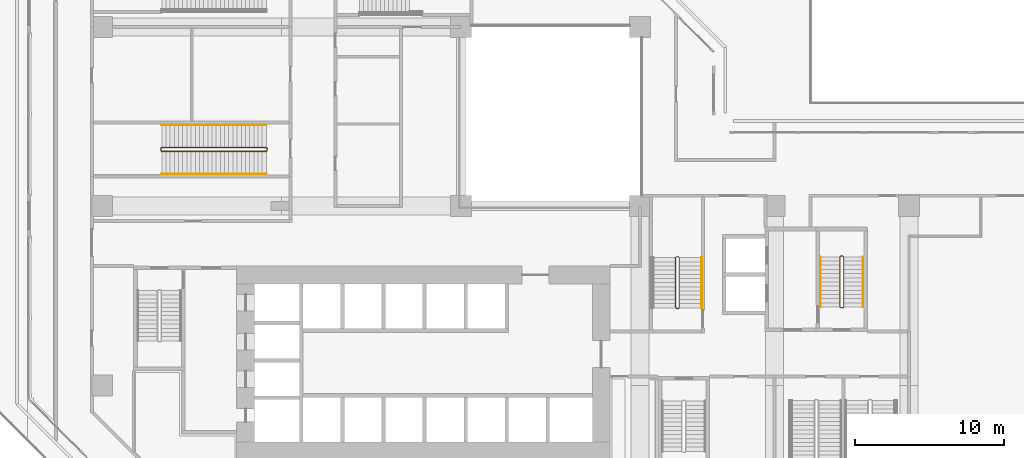
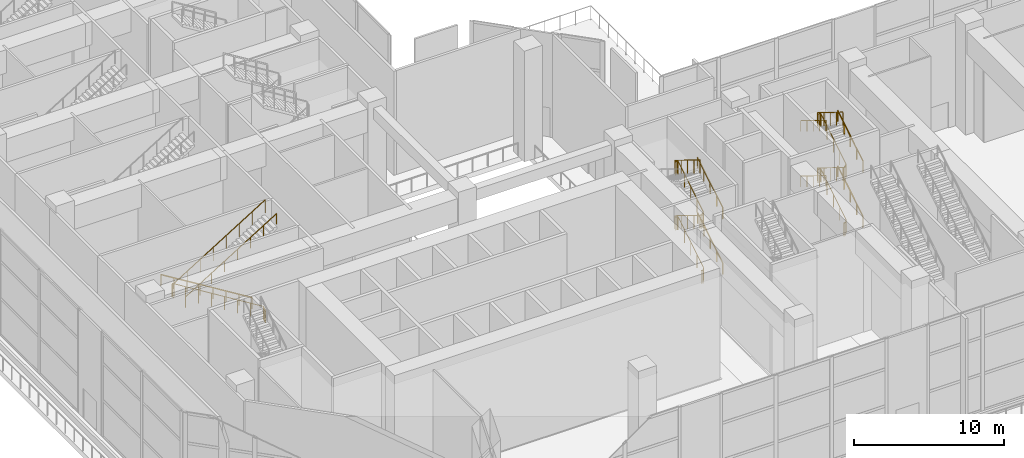
# One storey, part 24 of 28: 11 railings.
"""IFC4 building model written with IfcOpenShell, lengths in metres."""

from ifc_helpers import new_model, si_unit, direction, frame, origin, origin_2d, place, context, subcontext, project, spatial, rectangle, extrude, material, type_object, element, save


model = new_model("IFC4")

# Units and contexts
model_context = context("Model", 3, precision=1e-05, world=origin(), true_north=direction((0.0, 1.0)))
body_context = subcontext(model_context, "Body", "Model", "MODEL_VIEW")
ifc_project = project(units=[si_unit("LENGTHUNIT", "METRE"), si_unit("AREAUNIT", "SQUARE_METRE"), si_unit("VOLUMEUNIT", "CUBIC_METRE"), si_unit("PLANEANGLEUNIT", "RADIAN"), si_unit("MASSUNIT", "GRAM", prefix="KILO")], contexts=[model_context])

# Site, building, storey
site_placement = place(None, origin())
site = spatial("IfcSite", under=ifc_project, at=site_placement, CompositionType="ELEMENT")
building_placement = place(site_placement, origin())
building = spatial("IfcBuilding", under=site, at=building_placement, Name="Chenar Terraces", CompositionType="ELEMENT")
storey_placement = place(building_placement, frame((0.0, 0.0, 26.39990234375)))
storey = spatial("IfcBuildingStorey", under=building, at=storey_placement, Name="L05", CompositionType="ELEMENT", Elevation=26.39990234375)

# Railings
ifc_material_1 = material(Name="Powder-coated steel", Category="steel")
railing_type_1 = type_object("IfcRailingType", Name="Stair guard 1100", PredefinedType="GUARDRAIL", material=ifc_material_1)
railing_1_placement = place(storey_placement, frame((49.375, 17.25, 9.0)))
element("IfcRailing", 1, at=railing_1_placement, inside=storey, type_object=railing_type_1, Name="L05 ST3 stair guard 1", PredefinedType="GUARDRAIL", context=body_context, shape_type="SweptSolid", body=[
    extrude(rectangle(XDim=0.048095703125, YDim=0.048095703125, at=origin_2d()), frame((0.0, 0.0, 1.076171875), z_axis=(0.0, 0.850623216509, -0.525775754039), x_axis=(-1.0, 0.0, 0.0)), (0.0, 0.0, 1.0), 3.9501953125),
    extrude(rectangle(XDim=0.048095703125, YDim=0.048095703125, at=origin_2d()), frame((0.0, 3.360107421875, -1.0009765625), z_axis=(0.267723051232, 0.266417085129, -0.925929967433), x_axis=(-0.705375805398, 0.708833529934, 0.0)), (0.0, 0.0, 1.0), 0.18701171875),
    extrude(rectangle(XDim=0.048095703125, YDim=0.048095703125, at=origin_2d()), frame((0.050048828125, 3.409912109375, -1.173828125), z_axis=(1.0, 0.0, 0.0), x_axis=(0.0, 1.0, 0.0)), (0.0, 0.0, 1.0), 0.14990234375),
    extrude(rectangle(XDim=0.048095703125, YDim=0.048095703125, at=origin_2d()), frame((0.199951171875, 3.409912109375, -1.173828125), z_axis=(0.708833529934, -0.705375805398, 0.0), x_axis=(0.705375805398, 0.708833529934, 0.0)), (0.0, 0.0, 1.0), 0.070556640625),
    extrude(rectangle(XDim=0.048095703125, YDim=0.048095703125, at=origin_2d()), frame((0.25, 3.360107421875, -1.173828125), z_axis=(0.0, -0.850623216509, -0.525775754039), x_axis=(1.0, 0.0, 0.0)), (0.0, 0.0, 1.0), 3.9501953125),
    extrude(rectangle(XDim=0.048095703125, YDim=0.048095703125, at=origin_2d()), frame((0.25, 0.0, -3.2509765625), z_axis=(-0.742869136974, -0.185944045274, -0.643094283413), x_axis=(0.242814311512, -0.970072785993, 0.0)), (0.0, 0.0, 1.0), 0.26904296875),
    extrude(rectangle(XDim=0.048095703125, YDim=0.048095703125, at=origin_2d()), frame((0.050048828125, -0.050048828125, -3.423828125), z_axis=(1.0, 0.0, 0.0), x_axis=(0.0, 1.0, 0.0)), (0.0, 0.0, 1.0), 0.14990234375),
    extrude(rectangle(XDim=0.048095703125, YDim=0.048095703125, at=origin_2d()), frame((0.199951171875, -0.050048828125, -3.423828125), z_axis=(-0.970072785993, 0.242814311512, 0.0), x_axis=(-0.242814311512, -0.970072785993, 0.0)), (0.0, 0.0, 1.0), 0.2060546875),
    extrude(rectangle(XDim=0.048095703125, YDim=0.048095703125, at=origin_2d()), frame((0.0, 0.0, -3.423828125), z_axis=(0.0, 0.850623216509, -0.525775754039), x_axis=(-1.0, 0.0, 0.0)), (0.0, 0.0, 1.0), 3.9501953125),
    extrude(rectangle(XDim=0.048095703125, YDim=0.048095703125, at=origin_2d()), frame((0.0, 3.360107421875, -5.5009765625), z_axis=(0.267723051232, 0.266417085129, -0.925929967433), x_axis=(-0.705375805398, 0.708833529934, 0.0)), (0.0, 0.0, 1.0), 0.18701171875),
    extrude(rectangle(XDim=0.048095703125, YDim=0.048095703125, at=origin_2d()), frame((0.050048828125, 3.409912109375, -5.673828125), z_axis=(1.0, 0.0, 0.0), x_axis=(0.0, 1.0, 0.0)), (0.0, 0.0, 1.0), 0.14990234375),
    extrude(rectangle(XDim=0.048095703125, YDim=0.048095703125, at=origin_2d()), frame((0.199951171875, 3.409912109375, -5.673828125), z_axis=(0.708833529934, -0.705375805398, 0.0), x_axis=(0.705375805398, 0.708833529934, 0.0)), (0.0, 0.0, 1.0), 0.070556640625),
    extrude(rectangle(XDim=0.048095703125, YDim=0.048095703125, at=origin_2d()), frame((0.25, 3.360107421875, -5.673828125), z_axis=(0.0, -0.850623216509, -0.525775754039), x_axis=(1.0, 0.0, 0.0)), (0.0, 0.0, 1.0), 3.9501953125),
    extrude(rectangle(XDim=0.048095703125, YDim=0.048095703125, at=origin_2d()), frame((0.25, 0.0, -7.7509765625), z_axis=(-0.267629722418, -0.267629722418, -0.925607186314), x_axis=(0.707106781187, -0.707106781187, 0.0)), (0.0, 0.0, 1.0), 0.18701171875),
    extrude(rectangle(XDim=0.048095703125, YDim=0.048095703125, at=origin_2d()), frame((0.199951171875, -0.050048828125, -7.923828125), z_axis=(-1.0, 0.0, 0.0), x_axis=(0.0, -1.0, 0.0)), (0.0, 0.0, 1.0), 0.14990234375),
    extrude(rectangle(XDim=0.0419921875, YDim=0.0419921875, at=origin_2d()), origin(), (0.0, 0.0, 1.0), 1.052001953125),
    extrude(rectangle(XDim=0.0419921875, YDim=0.0419921875, at=origin_2d()), frame((0.0, 0.840087890625, -0.519287109375)), (0.0, 0.0, 1.0), 1.052001953125),
    extrude(rectangle(XDim=0.0419921875, YDim=0.0419921875, at=origin_2d()), frame((0.0, 1.68017578125, -1.03857421875)), (0.0, 0.0, 1.0), 1.052001953125),
    extrude(rectangle(XDim=0.0419921875, YDim=0.0419921875, at=origin_2d()), frame((0.0, 2.52001953125, -1.5576171875)), (0.0, 0.0, 1.0), 1.052001953125),
    extrude(rectangle(XDim=0.0419921875, YDim=0.0419921875, at=origin_2d()), frame((0.0, 3.360107421875, -2.076904296875)), (0.0, 0.0, 1.0), 1.052001953125),
    extrude(rectangle(XDim=0.0419921875, YDim=0.0419921875, at=origin_2d()), frame((0.050048828125, 3.409912109375, -2.25)), (0.0, 0.0, 1.0), 1.052001953125),
    extrude(rectangle(XDim=0.0419921875, YDim=0.0419921875, at=origin_2d()), frame((0.199951171875, 3.409912109375, -2.25)), (0.0, 0.0, 1.0), 1.052001953125),
    extrude(rectangle(XDim=0.0419921875, YDim=0.0419921875, at=origin_2d()), frame((0.25, 3.360107421875, -2.25)), (0.0, 0.0, 1.0), 1.052001953125),
    extrude(rectangle(XDim=0.0419921875, YDim=0.0419921875, at=origin_2d()), frame((0.25, 2.52001953125, -2.769287109375)), (0.0, 0.0, 1.0), 1.052001953125),
    extrude(rectangle(XDim=0.0419921875, YDim=0.0419921875, at=origin_2d()), frame((0.25, 1.68017578125, -3.28857421875)), (0.0, 0.0, 1.0), 1.052001953125),
    extrude(rectangle(XDim=0.0419921875, YDim=0.0419921875, at=origin_2d()), frame((0.25, 0.840087890625, -3.8076171875)), (0.0, 0.0, 1.0), 1.052001953125),
    extrude(rectangle(XDim=0.0419921875, YDim=0.0419921875, at=origin_2d()), frame((0.25, 0.0, -4.326904296875)), (0.0, 0.0, 1.0), 1.052001953125),
    extrude(rectangle(XDim=0.0419921875, YDim=0.0419921875, at=origin_2d()), frame((0.050048828125, -0.050048828125, -4.5)), (0.0, 0.0, 1.0), 1.052001953125),
    extrude(rectangle(XDim=0.0419921875, YDim=0.0419921875, at=origin_2d()), frame((0.199951171875, -0.050048828125, -4.5)), (0.0, 0.0, 1.0), 1.052001953125),
    extrude(rectangle(XDim=0.0419921875, YDim=0.0419921875, at=origin_2d()), frame((0.0, 0.0, -4.5)), (0.0, 0.0, 1.0), 1.052001953125),
    extrude(rectangle(XDim=0.0419921875, YDim=0.0419921875, at=origin_2d()), frame((0.0, 0.840087890625, -5.019287109375)), (0.0, 0.0, 1.0), 1.052001953125),
    extrude(rectangle(XDim=0.0419921875, YDim=0.0419921875, at=origin_2d()), frame((0.0, 1.68017578125, -5.53857421875)), (0.0, 0.0, 1.0), 1.052001953125),
    extrude(rectangle(XDim=0.0419921875, YDim=0.0419921875, at=origin_2d()), frame((0.0, 2.52001953125, -6.0576171875)), (0.0, 0.0, 1.0), 1.052001953125),
    extrude(rectangle(XDim=0.0419921875, YDim=0.0419921875, at=origin_2d()), frame((0.0, 3.360107421875, -6.576904296875)), (0.0, 0.0, 1.0), 1.052001953125),
    extrude(rectangle(XDim=0.0419921875, YDim=0.0419921875, at=origin_2d()), frame((0.050048828125, 3.409912109375, -6.75)), (0.0, 0.0, 1.0), 1.052001953125),
    extrude(rectangle(XDim=0.0419921875, YDim=0.0419921875, at=origin_2d()), frame((0.199951171875, 3.409912109375, -6.75)), (0.0, 0.0, 1.0), 1.052001953125),
    extrude(rectangle(XDim=0.0419921875, YDim=0.0419921875, at=origin_2d()), frame((0.25, 3.360107421875, -6.75)), (0.0, 0.0, 1.0), 1.052001953125),
    extrude(rectangle(XDim=0.0419921875, YDim=0.0419921875, at=origin_2d()), frame((0.25, 2.52001953125, -7.269287109375)), (0.0, 0.0, 1.0), 1.052001953125),
    extrude(rectangle(XDim=0.0419921875, YDim=0.0419921875, at=origin_2d()), frame((0.25, 1.68017578125, -7.78857421875)), (0.0, 0.0, 1.0), 1.052001953125),
    extrude(rectangle(XDim=0.0419921875, YDim=0.0419921875, at=origin_2d()), frame((0.25, 0.840087890625, -8.3076171875)), (0.0, 0.0, 1.0), 1.052001953125),
    extrude(rectangle(XDim=0.0419921875, YDim=0.0419921875, at=origin_2d()), frame((0.25, 0.0, -8.826904296875)), (0.0, 0.0, 1.0), 1.052001953125),
    extrude(rectangle(XDim=0.0419921875, YDim=0.0419921875, at=origin_2d()), frame((0.199951171875, -0.050048828125, -9.0)), (0.0, 0.0, 1.0), 1.052001953125),
    extrude(rectangle(XDim=0.0419921875, YDim=0.0419921875, at=origin_2d()), frame((0.050048828125, -0.050048828125, -9.0)), (0.0, 0.0, 1.0), 1.052001953125),
])
railing_2_placement = place(storey_placement, frame((38.375, 17.199951171875, 9.0)))
element("IfcRailing", 2, at=railing_2_placement, inside=storey, type_object=railing_type_1, Name="L05 PS1 stair guard 1", PredefinedType="GUARDRAIL", context=body_context, shape_type="SweptSolid", body=[
    extrude(rectangle(XDim=0.048095703125, YDim=0.048095703125, at=origin_2d()), frame((0.0, 0.0, 1.076171875), z_axis=(0.0, 0.850623216509, -0.525775754039), x_axis=(-1.0, 0.0, 0.0)), (0.0, 0.0, 1.0), 3.9501953125),
    extrude(rectangle(XDim=0.048095703125, YDim=0.048095703125, at=origin_2d()), frame((0.0, 3.360107421875, -1.0009765625), z_axis=(0.267629722418, 0.267629722418, -0.925607186314), x_axis=(-0.707106781187, 0.707106781187, 0.0)), (0.0, 0.0, 1.0), 0.18701171875),
    extrude(rectangle(XDim=0.048095703125, YDim=0.048095703125, at=origin_2d()), frame((0.050048828125, 3.41015625, -1.173828125), z_axis=(1.0, 0.0, 0.0), x_axis=(0.0, 1.0, 0.0)), (0.0, 0.0, 1.0), 0.14990234375),
    extrude(rectangle(XDim=0.048095703125, YDim=0.048095703125, at=origin_2d()), frame((0.199951171875, 3.41015625, -1.173828125), z_axis=(0.707106781187, -0.707106781187, 0.0), x_axis=(0.707106781187, 0.707106781187, 0.0)), (0.0, 0.0, 1.0), 0.07080078125),
    extrude(rectangle(XDim=0.048095703125, YDim=0.048095703125, at=origin_2d()), frame((0.25, 3.360107421875, -1.173828125), z_axis=(0.0, -0.850623216509, -0.525775754039), x_axis=(1.0, 0.0, 0.0)), (0.0, 0.0, 1.0), 3.9501953125),
    extrude(rectangle(XDim=0.048095703125, YDim=0.048095703125, at=origin_2d()), frame((0.25, 0.0, -3.2509765625), z_axis=(-0.742869136974, -0.185944045274, -0.643094283413), x_axis=(0.242814311512, -0.970072785993, 0.0)), (0.0, 0.0, 1.0), 0.26904296875),
    extrude(rectangle(XDim=0.048095703125, YDim=0.048095703125, at=origin_2d()), frame((0.050048828125, -0.050048828125, -3.423828125), z_axis=(1.0, 0.0, 0.0), x_axis=(0.0, 1.0, 0.0)), (0.0, 0.0, 1.0), 0.14990234375),
    extrude(rectangle(XDim=0.048095703125, YDim=0.048095703125, at=origin_2d()), frame((0.199951171875, -0.050048828125, -3.423828125), z_axis=(-0.970072785993, 0.242814311512, 0.0), x_axis=(-0.242814311512, -0.970072785993, 0.0)), (0.0, 0.0, 1.0), 0.2060546875),
    extrude(rectangle(XDim=0.048095703125, YDim=0.048095703125, at=origin_2d()), frame((0.0, 0.0, -3.423828125), z_axis=(0.0, 0.850623216509, -0.525775754039), x_axis=(-1.0, 0.0, 0.0)), (0.0, 0.0, 1.0), 3.9501953125),
    extrude(rectangle(XDim=0.048095703125, YDim=0.048095703125, at=origin_2d()), frame((0.0, 3.360107421875, -5.5009765625), z_axis=(0.267629722418, 0.267629722418, -0.925607186314), x_axis=(-0.707106781187, 0.707106781187, 0.0)), (0.0, 0.0, 1.0), 0.18701171875),
    extrude(rectangle(XDim=0.048095703125, YDim=0.048095703125, at=origin_2d()), frame((0.050048828125, 3.41015625, -5.673828125), z_axis=(1.0, 0.0, 0.0), x_axis=(0.0, 1.0, 0.0)), (0.0, 0.0, 1.0), 0.14990234375),
    extrude(rectangle(XDim=0.048095703125, YDim=0.048095703125, at=origin_2d()), frame((0.199951171875, 3.41015625, -5.673828125), z_axis=(0.707106781187, -0.707106781187, 0.0), x_axis=(0.707106781187, 0.707106781187, 0.0)), (0.0, 0.0, 1.0), 0.07080078125),
    extrude(rectangle(XDim=0.048095703125, YDim=0.048095703125, at=origin_2d()), frame((0.25, 3.360107421875, -5.673828125), z_axis=(0.0, -0.850623216509, -0.525775754039), x_axis=(1.0, 0.0, 0.0)), (0.0, 0.0, 1.0), 3.9501953125),
    extrude(rectangle(XDim=0.048095703125, YDim=0.048095703125, at=origin_2d()), frame((0.25, 0.0, -7.7509765625), z_axis=(-0.267629722418, -0.267629722418, -0.925607186314), x_axis=(0.707106781187, -0.707106781187, 0.0)), (0.0, 0.0, 1.0), 0.18701171875),
    extrude(rectangle(XDim=0.048095703125, YDim=0.048095703125, at=origin_2d()), frame((0.199951171875, -0.050048828125, -7.923828125), z_axis=(-1.0, 0.0, 0.0), x_axis=(0.0, -1.0, 0.0)), (0.0, 0.0, 1.0), 0.14990234375),
    extrude(rectangle(XDim=0.0419921875, YDim=0.0419921875, at=origin_2d()), origin(), (0.0, 0.0, 1.0), 1.052001953125),
    extrude(rectangle(XDim=0.0419921875, YDim=0.0419921875, at=origin_2d()), frame((0.0, 0.840087890625, -0.519287109375)), (0.0, 0.0, 1.0), 1.052001953125),
    extrude(rectangle(XDim=0.0419921875, YDim=0.0419921875, at=origin_2d()), frame((0.0, 1.68017578125, -1.03857421875)), (0.0, 0.0, 1.0), 1.052001953125),
    extrude(rectangle(XDim=0.0419921875, YDim=0.0419921875, at=origin_2d()), frame((0.0, 2.52001953125, -1.5576171875)), (0.0, 0.0, 1.0), 1.052001953125),
    extrude(rectangle(XDim=0.0419921875, YDim=0.0419921875, at=origin_2d()), frame((0.0, 3.360107421875, -2.076904296875)), (0.0, 0.0, 1.0), 1.052001953125),
    extrude(rectangle(XDim=0.0419921875, YDim=0.0419921875, at=origin_2d()), frame((0.050048828125, 3.41015625, -2.25)), (0.0, 0.0, 1.0), 1.052001953125),
    extrude(rectangle(XDim=0.0419921875, YDim=0.0419921875, at=origin_2d()), frame((0.199951171875, 3.41015625, -2.25)), (0.0, 0.0, 1.0), 1.052001953125),
    extrude(rectangle(XDim=0.0419921875, YDim=0.0419921875, at=origin_2d()), frame((0.25, 3.360107421875, -2.25)), (0.0, 0.0, 1.0), 1.052001953125),
    extrude(rectangle(XDim=0.0419921875, YDim=0.0419921875, at=origin_2d()), frame((0.25, 2.52001953125, -2.769287109375)), (0.0, 0.0, 1.0), 1.052001953125),
    extrude(rectangle(XDim=0.0419921875, YDim=0.0419921875, at=origin_2d()), frame((0.25, 1.68017578125, -3.28857421875)), (0.0, 0.0, 1.0), 1.052001953125),
    extrude(rectangle(XDim=0.0419921875, YDim=0.0419921875, at=origin_2d()), frame((0.25, 0.840087890625, -3.8076171875)), (0.0, 0.0, 1.0), 1.052001953125),
    extrude(rectangle(XDim=0.0419921875, YDim=0.0419921875, at=origin_2d()), frame((0.25, 0.0, -4.326904296875)), (0.0, 0.0, 1.0), 1.052001953125),
    extrude(rectangle(XDim=0.0419921875, YDim=0.0419921875, at=origin_2d()), frame((0.050048828125, -0.050048828125, -4.5)), (0.0, 0.0, 1.0), 1.052001953125),
    extrude(rectangle(XDim=0.0419921875, YDim=0.0419921875, at=origin_2d()), frame((0.199951171875, -0.050048828125, -4.5)), (0.0, 0.0, 1.0), 1.052001953125),
    extrude(rectangle(XDim=0.0419921875, YDim=0.0419921875, at=origin_2d()), frame((0.0, 0.0, -4.5)), (0.0, 0.0, 1.0), 1.052001953125),
    extrude(rectangle(XDim=0.0419921875, YDim=0.0419921875, at=origin_2d()), frame((0.0, 0.840087890625, -5.019287109375)), (0.0, 0.0, 1.0), 1.052001953125),
    extrude(rectangle(XDim=0.0419921875, YDim=0.0419921875, at=origin_2d()), frame((0.0, 1.68017578125, -5.53857421875)), (0.0, 0.0, 1.0), 1.052001953125),
    extrude(rectangle(XDim=0.0419921875, YDim=0.0419921875, at=origin_2d()), frame((0.0, 2.52001953125, -6.0576171875)), (0.0, 0.0, 1.0), 1.052001953125),
    extrude(rectangle(XDim=0.0419921875, YDim=0.0419921875, at=origin_2d()), frame((0.0, 3.360107421875, -6.576904296875)), (0.0, 0.0, 1.0), 1.052001953125),
    extrude(rectangle(XDim=0.0419921875, YDim=0.0419921875, at=origin_2d()), frame((0.050048828125, 3.41015625, -6.75)), (0.0, 0.0, 1.0), 1.052001953125),
    extrude(rectangle(XDim=0.0419921875, YDim=0.0419921875, at=origin_2d()), frame((0.199951171875, 3.41015625, -6.75)), (0.0, 0.0, 1.0), 1.052001953125),
    extrude(rectangle(XDim=0.0419921875, YDim=0.0419921875, at=origin_2d()), frame((0.25, 3.360107421875, -6.75)), (0.0, 0.0, 1.0), 1.052001953125),
    extrude(rectangle(XDim=0.0419921875, YDim=0.0419921875, at=origin_2d()), frame((0.25, 2.52001953125, -7.269287109375)), (0.0, 0.0, 1.0), 1.052001953125),
    extrude(rectangle(XDim=0.0419921875, YDim=0.0419921875, at=origin_2d()), frame((0.25, 1.68017578125, -7.78857421875)), (0.0, 0.0, 1.0), 1.052001953125),
    extrude(rectangle(XDim=0.0419921875, YDim=0.0419921875, at=origin_2d()), frame((0.25, 0.840087890625, -8.3076171875)), (0.0, 0.0, 1.0), 1.052001953125),
    extrude(rectangle(XDim=0.0419921875, YDim=0.0419921875, at=origin_2d()), frame((0.25, 0.0, -8.826904296875)), (0.0, 0.0, 1.0), 1.052001953125),
    extrude(rectangle(XDim=0.0419921875, YDim=0.0419921875, at=origin_2d()), frame((0.199951171875, -0.050048828125, -9.0)), (0.0, 0.0, 1.0), 1.052001953125),
    extrude(rectangle(XDim=0.0419921875, YDim=0.0419921875, at=origin_2d()), frame((0.050048828125, -0.050048828125, -9.0)), (0.0, 0.0, 1.0), 1.052001953125),
])
railing_3_placement = place(storey_placement, frame((10.985107421875, 27.675048828125, 9.0)))
element("IfcRailing", 3, at=railing_3_placement, inside=storey, type_object=railing_type_1, Name="L05 PS5 stair guard 1", PredefinedType="GUARDRAIL", context=body_context, shape_type="SweptSolid", body=[
    extrude(rectangle(XDim=0.048095703125, YDim=0.048095703125, at=origin_2d()), frame((0.0, 0.0, 1.076171875), z_axis=(-0.850614592968, 0.0, -0.525789705328), x_axis=(0.0, -1.0, 0.0)), (0.0, 0.0, 1.0), 8.229248046875),
    extrude(rectangle(XDim=0.048095703125, YDim=0.048095703125, at=origin_2d()), frame((-7.0, 0.0, -3.2509765625), z_axis=(-0.267629722418, 0.267629722418, -0.925607186314), x_axis=(-0.707106781187, -0.707106781187, 0.0)), (0.0, 0.0, 1.0), 0.18701171875),
    extrude(rectangle(XDim=0.048095703125, YDim=0.048095703125, at=origin_2d()), frame((-7.050048828125, 0.050048828125, -3.423828125), z_axis=(0.0, 1.0, 0.0), x_axis=(-1.0, 0.0, 0.0)), (0.0, 0.0, 1.0), 0.14990234375),
    extrude(rectangle(XDim=0.048095703125, YDim=0.048095703125, at=origin_2d()), frame((-7.050048828125, 0.199951171875, -3.423828125), z_axis=(0.707106781187, 0.707106781187, 0.0), x_axis=(-0.707106781187, 0.707106781187, 0.0)), (0.0, 0.0, 1.0), 0.07080078125),
    extrude(rectangle(XDim=0.048095703125, YDim=0.048095703125, at=origin_2d()), frame((-7.0, 0.25, -3.423828125), z_axis=(0.850614592968, 0.0, -0.525789705328), x_axis=(0.0, 1.0, 0.0)), (0.0, 0.0, 1.0), 8.229248046875),
    extrude(rectangle(XDim=0.048095703125, YDim=0.048095703125, at=origin_2d()), frame((0.0, 0.25, -7.7509765625), z_axis=(0.266417085129, -0.267723051232, -0.925929967433), x_axis=(0.708833529934, 0.705375805398, 0.0)), (0.0, 0.0, 1.0), 0.18701171875),
    extrude(rectangle(XDim=0.048095703125, YDim=0.048095703125, at=origin_2d()), frame((0.0498046875, 0.199951171875, -7.923828125), z_axis=(0.0, -1.0, 0.0), x_axis=(1.0, 0.0, 0.0)), (0.0, 0.0, 1.0), 0.14990234375),
    extrude(rectangle(XDim=0.0419921875, YDim=0.0419921875, at=origin_2d()), origin(), (0.0, 0.0, 1.0), 1.052001953125),
    extrude(rectangle(XDim=0.0419921875, YDim=0.0419921875, at=origin_2d()), frame((-1.0, 0.0, -0.6181640625)), (0.0, 0.0, 1.0), 1.052001953125),
    extrude(rectangle(XDim=0.0419921875, YDim=0.0419921875, at=origin_2d()), frame((-2.0, 0.0, -1.236328125)), (0.0, 0.0, 1.0), 1.052001953125),
    extrude(rectangle(XDim=0.0419921875, YDim=0.0419921875, at=origin_2d()), frame((-3.0, 0.0, -1.8544921875)), (0.0, 0.0, 1.0), 1.052001953125),
    extrude(rectangle(XDim=0.0419921875, YDim=0.0419921875, at=origin_2d()), frame((-4.0, 0.0, -2.472412109375)), (0.0, 0.0, 1.0), 1.052001953125),
    extrude(rectangle(XDim=0.0419921875, YDim=0.0419921875, at=origin_2d()), frame((-5.0, 0.0, -3.090576171875)), (0.0, 0.0, 1.0), 1.052001953125),
    extrude(rectangle(XDim=0.0419921875, YDim=0.0419921875, at=origin_2d()), frame((-6.0, 0.0, -3.708740234375)), (0.0, 0.0, 1.0), 1.052001953125),
    extrude(rectangle(XDim=0.0419921875, YDim=0.0419921875, at=origin_2d()), frame((-7.0, 0.0, -4.326904296875)), (0.0, 0.0, 1.0), 1.052001953125),
    extrude(rectangle(XDim=0.0419921875, YDim=0.0419921875, at=origin_2d()), frame((-7.050048828125, 0.050048828125, -4.5)), (0.0, 0.0, 1.0), 1.052001953125),
    extrude(rectangle(XDim=0.0419921875, YDim=0.0419921875, at=origin_2d()), frame((-7.050048828125, 0.199951171875, -4.5)), (0.0, 0.0, 1.0), 1.052001953125),
    extrude(rectangle(XDim=0.0419921875, YDim=0.0419921875, at=origin_2d()), frame((-7.0, 0.25, -4.5)), (0.0, 0.0, 1.0), 1.052001953125),
    extrude(rectangle(XDim=0.0419921875, YDim=0.0419921875, at=origin_2d()), frame((-6.0, 0.25, -5.1181640625)), (0.0, 0.0, 1.0), 1.052001953125),
    extrude(rectangle(XDim=0.0419921875, YDim=0.0419921875, at=origin_2d()), frame((-5.0, 0.25, -5.736328125)), (0.0, 0.0, 1.0), 1.052001953125),
    extrude(rectangle(XDim=0.0419921875, YDim=0.0419921875, at=origin_2d()), frame((-4.0, 0.25, -6.3544921875)), (0.0, 0.0, 1.0), 1.052001953125),
    extrude(rectangle(XDim=0.0419921875, YDim=0.0419921875, at=origin_2d()), frame((-3.0, 0.25, -6.972412109375)), (0.0, 0.0, 1.0), 1.052001953125),
    extrude(rectangle(XDim=0.0419921875, YDim=0.0419921875, at=origin_2d()), frame((-2.0, 0.25, -7.590576171875)), (0.0, 0.0, 1.0), 1.052001953125),
    extrude(rectangle(XDim=0.0419921875, YDim=0.0419921875, at=origin_2d()), frame((-1.0, 0.25, -8.208740234375)), (0.0, 0.0, 1.0), 1.052001953125),
    extrude(rectangle(XDim=0.0419921875, YDim=0.0419921875, at=origin_2d()), frame((0.0, 0.25, -8.826904296875)), (0.0, 0.0, 1.0), 1.052001953125),
    extrude(rectangle(XDim=0.0419921875, YDim=0.0419921875, at=origin_2d()), frame((0.0498046875, 0.199951171875, -9.0)), (0.0, 0.0, 1.0), 1.052001953125),
    extrude(rectangle(XDim=0.0419921875, YDim=0.0419921875, at=origin_2d()), frame((0.0498046875, 0.050048828125, -9.0)), (0.0, 0.0, 1.0), 1.052001953125),
])
ifc_material_2 = material(Name="Powder-coated steel", Category="steel")
railing_type_2 = type_object("IfcRailingType", Name="Stair handrail 900", PredefinedType="HANDRAIL", material=ifc_material_2)
railing_4_placement = place(storey_placement, frame((50.925048828125, 17.25, 0.173095703125)))
element("IfcRailing", 4, at=railing_4_placement, inside=storey, type_object=railing_type_2, Name="L05 ST3 stair handrail 1", PredefinedType="HANDRAIL", context=body_context, shape_type="SweptSolid", body=[
    extrude(rectangle(XDim=0.048095703125, YDim=0.048095703125, at=origin_2d()), frame((0.0, 0.0, 0.8759765625), z_axis=(0.0, 0.850623216509, 0.525775754039), x_axis=(-1.0, 0.0, 0.0)), (0.0, 0.0, 1.0), 3.9501953125),
    extrude(rectangle(XDim=0.0419921875, YDim=0.0419921875, at=origin_2d()), origin(), (0.0, 0.0, 1.0), 0.851806640625),
    extrude(rectangle(XDim=0.0419921875, YDim=0.0419921875, at=origin_2d()), frame((0.0, 0.840087890625, 0.519287109375)), (0.0, 0.0, 1.0), 0.851806640625),
    extrude(rectangle(XDim=0.0419921875, YDim=0.0419921875, at=origin_2d()), frame((0.0, 1.68017578125, 1.03857421875)), (0.0, 0.0, 1.0), 0.851806640625),
    extrude(rectangle(XDim=0.0419921875, YDim=0.0419921875, at=origin_2d()), frame((0.0, 2.52001953125, 1.5576171875)), (0.0, 0.0, 1.0), 0.851806640625),
    extrude(rectangle(XDim=0.0419921875, YDim=0.0419921875, at=origin_2d()), frame((0.0, 3.360107421875, 2.076904296875)), (0.0, 0.0, 1.0), 0.851806640625),
])
railing_5_placement = place(storey_placement, frame((48.074951171875, 20.610107421875, 2.423095703125)))
element("IfcRailing", 5, at=railing_5_placement, inside=storey, type_object=railing_type_2, Name="L05 ST3 stair handrail 2", PredefinedType="HANDRAIL", context=body_context, shape_type="SweptSolid", body=[
    extrude(rectangle(XDim=0.048095703125, YDim=0.048095703125, at=origin_2d()), frame((0.0, 0.0, 0.8759765625), z_axis=(0.0, -0.850623216509, 0.525775754039), x_axis=(1.0, 0.0, 0.0)), (0.0, 0.0, 1.0), 3.9501953125),
    extrude(rectangle(XDim=0.0419921875, YDim=0.0419921875, at=origin_2d()), origin(), (0.0, 0.0, 1.0), 0.851806640625),
    extrude(rectangle(XDim=0.0419921875, YDim=0.0419921875, at=origin_2d()), frame((0.0, -0.840087890625, 0.519287109375)), (0.0, 0.0, 1.0), 0.851806640625),
    extrude(rectangle(XDim=0.0419921875, YDim=0.0419921875, at=origin_2d()), frame((0.0, -1.68017578125, 1.03857421875)), (0.0, 0.0, 1.0), 0.851806640625),
    extrude(rectangle(XDim=0.0419921875, YDim=0.0419921875, at=origin_2d()), frame((0.0, -2.52001953125, 1.5576171875)), (0.0, 0.0, 1.0), 0.851806640625),
    extrude(rectangle(XDim=0.0419921875, YDim=0.0419921875, at=origin_2d()), frame((0.0, -3.360107421875, 2.076904296875)), (0.0, 0.0, 1.0), 0.851806640625),
])
railing_6_placement = place(storey_placement, frame((50.925048828125, 17.25, 4.673095703125)))
element("IfcRailing", 6, at=railing_6_placement, inside=storey, type_object=railing_type_2, Name="L05 ST3 stair handrail 3", PredefinedType="HANDRAIL", context=body_context, shape_type="SweptSolid", body=[
    extrude(rectangle(XDim=0.048095703125, YDim=0.048095703125, at=origin_2d()), frame((0.0, 0.0, 0.8759765625), z_axis=(0.0, 0.850623216509, 0.525775754039), x_axis=(-1.0, 0.0, 0.0)), (0.0, 0.0, 1.0), 3.9501953125),
    extrude(rectangle(XDim=0.0419921875, YDim=0.0419921875, at=origin_2d()), origin(), (0.0, 0.0, 1.0), 0.851806640625),
    extrude(rectangle(XDim=0.0419921875, YDim=0.0419921875, at=origin_2d()), frame((0.0, 0.840087890625, 0.519287109375)), (0.0, 0.0, 1.0), 0.851806640625),
    extrude(rectangle(XDim=0.0419921875, YDim=0.0419921875, at=origin_2d()), frame((0.0, 1.68017578125, 1.03857421875)), (0.0, 0.0, 1.0), 0.851806640625),
    extrude(rectangle(XDim=0.0419921875, YDim=0.0419921875, at=origin_2d()), frame((0.0, 2.52001953125, 1.5576171875)), (0.0, 0.0, 1.0), 0.851806640625),
    extrude(rectangle(XDim=0.0419921875, YDim=0.0419921875, at=origin_2d()), frame((0.0, 3.360107421875, 2.076904296875)), (0.0, 0.0, 1.0), 0.851806640625),
])
railing_7_placement = place(storey_placement, frame((48.074951171875, 20.610107421875, 6.923095703125)))
element("IfcRailing", 7, at=railing_7_placement, inside=storey, type_object=railing_type_2, Name="L05 ST3 stair handrail 4", PredefinedType="HANDRAIL", context=body_context, shape_type="SweptSolid", body=[
    extrude(rectangle(XDim=0.048095703125, YDim=0.048095703125, at=origin_2d()), frame((0.0, 0.0, 0.8759765625), z_axis=(0.0, -0.850623216509, 0.525775754039), x_axis=(1.0, 0.0, 0.0)), (0.0, 0.0, 1.0), 3.9501953125),
    extrude(rectangle(XDim=0.0419921875, YDim=0.0419921875, at=origin_2d()), origin(), (0.0, 0.0, 1.0), 0.851806640625),
    extrude(rectangle(XDim=0.0419921875, YDim=0.0419921875, at=origin_2d()), frame((0.0, -0.840087890625, 0.519287109375)), (0.0, 0.0, 1.0), 0.851806640625),
    extrude(rectangle(XDim=0.0419921875, YDim=0.0419921875, at=origin_2d()), frame((0.0, -1.68017578125, 1.03857421875)), (0.0, 0.0, 1.0), 0.851806640625),
    extrude(rectangle(XDim=0.0419921875, YDim=0.0419921875, at=origin_2d()), frame((0.0, -2.52001953125, 1.5576171875)), (0.0, 0.0, 1.0), 0.851806640625),
    extrude(rectangle(XDim=0.0419921875, YDim=0.0419921875, at=origin_2d()), frame((0.0, -3.360107421875, 2.076904296875)), (0.0, 0.0, 1.0), 0.851806640625),
])
for number, where, name in (
    (8, (40.125, 17.199951171875, 0.173095703125), "L05 PS1 stair handrail 1"),
    (9, (40.125, 17.199951171875, 4.673095703125), "L05 PS1 stair handrail 3"),
):
    element("IfcRailing", number, at=place(storey_placement, frame(where)), inside=storey, type_object=railing_type_2, Name=name, PredefinedType="HANDRAIL", context=body_context, shape_type="SweptSolid", body=[
        extrude(rectangle(XDim=0.048095703125, YDim=0.048095703125, at=origin_2d()), frame((0.0, 0.0, 0.8759765625), z_axis=(0.0, 0.850623216509, 0.525775754039), x_axis=(-1.0, 0.0, 0.0)), (0.0, 0.0, 1.0), 3.9501953125),
        extrude(rectangle(XDim=0.0419921875, YDim=0.0419921875, at=origin_2d()), origin(), (0.0, 0.0, 1.0), 0.851806640625),
        extrude(rectangle(XDim=0.0419921875, YDim=0.0419921875, at=origin_2d()), frame((0.0, 0.840087890625, 0.519287109375)), (0.0, 0.0, 1.0), 0.851806640625),
        extrude(rectangle(XDim=0.0419921875, YDim=0.0419921875, at=origin_2d()), frame((0.0, 1.68017578125, 1.03857421875)), (0.0, 0.0, 1.0), 0.851806640625),
        extrude(rectangle(XDim=0.0419921875, YDim=0.0419921875, at=origin_2d()), frame((0.0, 2.52001953125, 1.5576171875)), (0.0, 0.0, 1.0), 0.851806640625),
        extrude(rectangle(XDim=0.0419921875, YDim=0.0419921875, at=origin_2d()), frame((0.0, 3.360107421875, 2.076904296875)), (0.0, 0.0, 1.0), 0.851806640625),
    ])
railing_8_placement = place(storey_placement, frame((10.985107421875, 29.43994140625, 0.173095703125)))
element("IfcRailing", 10, at=railing_8_placement, inside=storey, type_object=railing_type_2, Name="L05 PS5 stair handrail 1", PredefinedType="HANDRAIL", context=body_context, shape_type="SweptSolid", body=[
    extrude(rectangle(XDim=0.048095703125, YDim=0.048095703125, at=origin_2d()), frame((0.0, 0.0, 0.8759765625), z_axis=(-0.850614592968, 0.0, 0.525789705328), x_axis=(0.0, -1.0, 0.0)), (0.0, 0.0, 1.0), 8.229248046875),
    extrude(rectangle(XDim=0.0419921875, YDim=0.0419921875, at=origin_2d()), origin(), (0.0, 0.0, 1.0), 0.851806640625),
    extrude(rectangle(XDim=0.0419921875, YDim=0.0419921875, at=origin_2d()), frame((-1.0, 0.0, 0.6181640625)), (0.0, 0.0, 1.0), 0.851806640625),
    extrude(rectangle(XDim=0.0419921875, YDim=0.0419921875, at=origin_2d()), frame((-2.0, 0.0, 1.236328125)), (0.0, 0.0, 1.0), 0.851806640625),
    extrude(rectangle(XDim=0.0419921875, YDim=0.0419921875, at=origin_2d()), frame((-3.0, 0.0, 1.8544921875)), (0.0, 0.0, 1.0), 0.851806640625),
    extrude(rectangle(XDim=0.0419921875, YDim=0.0419921875, at=origin_2d()), frame((-4.0, 0.0, 2.472412109375)), (0.0, 0.0, 1.0), 0.851806640625),
    extrude(rectangle(XDim=0.0419921875, YDim=0.0419921875, at=origin_2d()), frame((-5.0, 0.0, 3.090576171875)), (0.0, 0.0, 1.0), 0.851806640625),
    extrude(rectangle(XDim=0.0419921875, YDim=0.0419921875, at=origin_2d()), frame((-6.0, 0.0, 3.708740234375)), (0.0, 0.0, 1.0), 0.851806640625),
    extrude(rectangle(XDim=0.0419921875, YDim=0.0419921875, at=origin_2d()), frame((-7.0, 0.0, 4.326904296875)), (0.0, 0.0, 1.0), 0.851806640625),
])
railing_9_placement = place(storey_placement, frame((3.985107421875, 26.159912109375, 4.673095703125)))
element("IfcRailing", 11, at=railing_9_placement, inside=storey, type_object=railing_type_2, Name="L05 PS5 stair handrail 2", PredefinedType="HANDRAIL", context=body_context, shape_type="SweptSolid", body=[
    extrude(rectangle(XDim=0.048095703125, YDim=0.048095703125, at=origin_2d()), frame((0.0, 0.0, 0.8759765625), z_axis=(0.850614592968, 0.0, 0.525789705328), x_axis=(0.0, 1.0, 0.0)), (0.0, 0.0, 1.0), 8.229248046875),
    extrude(rectangle(XDim=0.0419921875, YDim=0.0419921875, at=origin_2d()), origin(), (0.0, 0.0, 1.0), 0.851806640625),
    extrude(rectangle(XDim=0.0419921875, YDim=0.0419921875, at=origin_2d()), frame((1.0, 0.0, 0.6181640625)), (0.0, 0.0, 1.0), 0.851806640625),
    extrude(rectangle(XDim=0.0419921875, YDim=0.0419921875, at=origin_2d()), frame((2.0, 0.0, 1.236328125)), (0.0, 0.0, 1.0), 0.851806640625),
    extrude(rectangle(XDim=0.0419921875, YDim=0.0419921875, at=origin_2d()), frame((3.0, 0.0, 1.8544921875)), (0.0, 0.0, 1.0), 0.851806640625),
    extrude(rectangle(XDim=0.0419921875, YDim=0.0419921875, at=origin_2d()), frame((4.0, 0.0, 2.472412109375)), (0.0, 0.0, 1.0), 0.851806640625),
    extrude(rectangle(XDim=0.0419921875, YDim=0.0419921875, at=origin_2d()), frame((5.0, 0.0, 3.090576171875)), (0.0, 0.0, 1.0), 0.851806640625),
    extrude(rectangle(XDim=0.0419921875, YDim=0.0419921875, at=origin_2d()), frame((6.0, 0.0, 3.708740234375)), (0.0, 0.0, 1.0), 0.851806640625),
    extrude(rectangle(XDim=0.0419921875, YDim=0.0419921875, at=origin_2d()), frame((7.0, 0.0, 4.326904296875)), (0.0, 0.0, 1.0), 0.851806640625),
])

save(model, "model.ifc")
